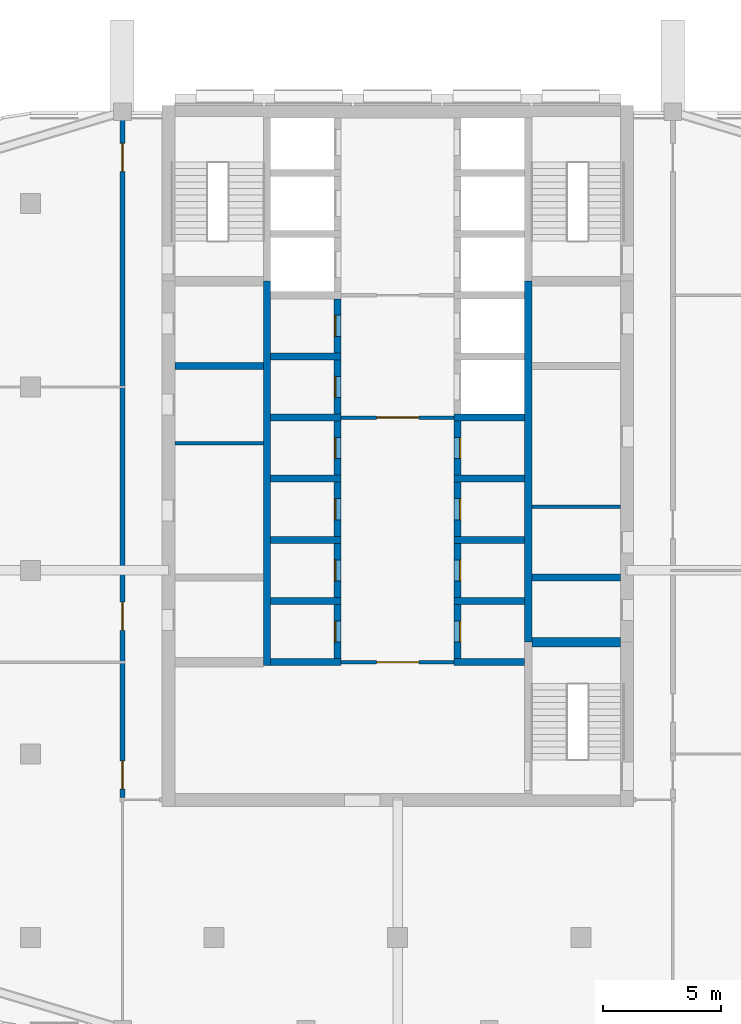
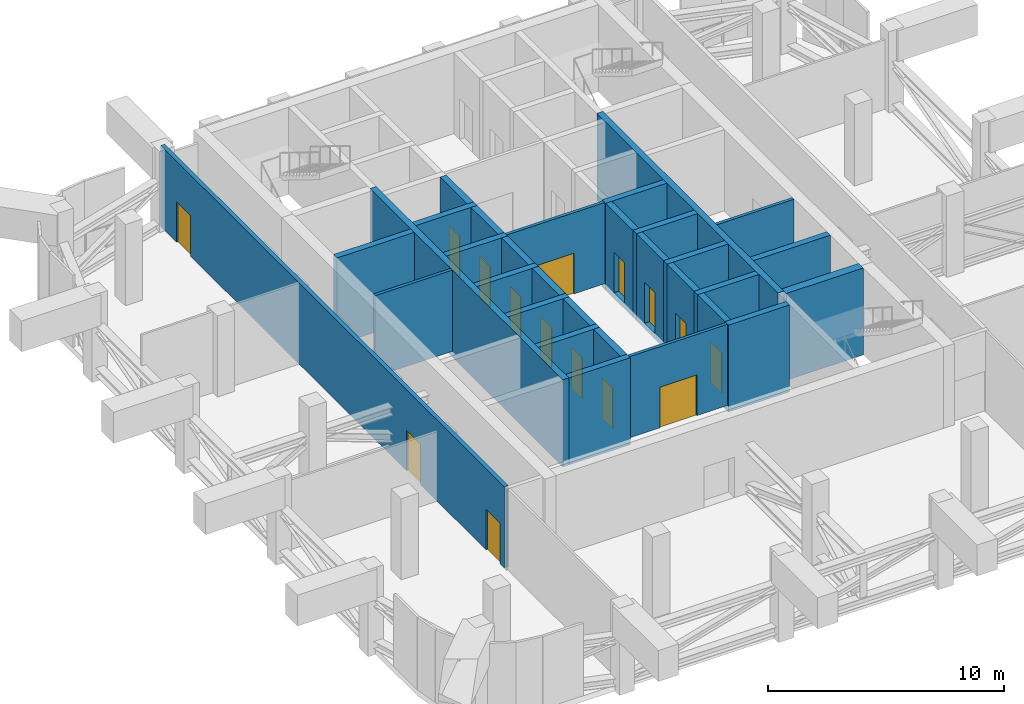
# One storey, part 6 of 13: 31 walls, 15 doors, 15 openings.
"""IFC4 building model written with IfcOpenShell, lengths in metres."""

from ifc_helpers import new_model, si_unit, direction, frame, frame_2d, origin, place, context, subcontext, project, spatial, rectangle, extrude, material, layer, layer_set, type_object, element, fill, save


model = new_model("IFC4")

# Units and contexts
model_context = context("Model", 3, precision=1e-05, world=origin(), true_north=direction((0.0, 1.0)))
body_context = subcontext(model_context, "Body", "Model", "MODEL_VIEW")
ifc_project = project(units=[si_unit("LENGTHUNIT", "METRE"), si_unit("AREAUNIT", "SQUARE_METRE"), si_unit("VOLUMEUNIT", "CUBIC_METRE"), si_unit("PLANEANGLEUNIT", "RADIAN"), si_unit("MASSUNIT", "GRAM", prefix="KILO")], contexts=[model_context])

# Site, building, storey
site_placement = place(None, origin())
site = spatial("IfcSite", under=ifc_project, at=site_placement, CompositionType="ELEMENT")
building_placement = place(site_placement, origin())
building = spatial("IfcBuilding", under=site, at=building_placement, Name="Ludao Terraces", CompositionType="ELEMENT")
storey_placement = place(building_placement, frame((0.0, 0.0, 192.800048828125)))
storey = spatial("IfcBuildingStorey", under=building, at=storey_placement, Name="L52", CompositionType="ELEMENT", Elevation=192.800048828125)

# Wall, opening, door
ifc_material_1 = material(Name="Fire-rated gypsum plasterboard", Category="gypsum")
ifc_layer_1 = layer(ifc_material_1, 0.012451171875, Category="gypsum")
ifc_material_2 = material(Name="Mineral wool")
ifc_layer_2 = layer(ifc_material_2, 0.10009765625, Name="insulation")
ifc_material_3 = material(Name="Steel Q235", Category="steel")
ifc_layer_3 = layer(ifc_material_3, 0.02490234375, Name="stud")
ifc_layer_4 = layer(ifc_material_1, 0.012451171875, Category="gypsum")
ifc_layer_set_1 = layer_set([ifc_layer_1, ifc_layer_2, ifc_layer_3, ifc_layer_4], Name="INT Core partition 150")
wall_type_1 = type_object("IfcWallType", Name="INT Core partition 150", PredefinedType="PARTITIONING", material=ifc_layer_set_1)
wall_1_placement = place(storey_placement, frame((82.60009765625, 61.10009765625, 0.0), z_axis=(0.0, 0.0, 1.0), x_axis=(1.0, 0.0, 0.0)))
wall_1 = element("IfcWall", 1, at=wall_1_placement, inside=storey, type_object=wall_type_1, Name="PW-L52-PW004", PredefinedType="PARTITIONING", context=body_context, shape_type="SweptSolid", body=[
    extrude(rectangle(XDim=4.800048828125, YDim=0.14990234375, at=frame_2d((2.39990234375, 0.0))), origin(), (0.0, 0.0, 1.0), 4.199951171875),
])
opening_1_placement = place(wall_1_placement, frame((1.5, 0.0, 0.0)))
opening_1 = element("IfcOpeningElement", 2, at=opening_1_placement, cuts=wall_1, Name="Opening L52-009", PredefinedType="OPENING", context=body_context, shape_type="SweptSolid", body=[
    extrude(rectangle(XDim=1.800048828125, YDim=2.10009765625, at=frame_2d((0.89990234375, 1.050048828125))), frame((0.0, 0.0849609375, 0.0), z_axis=(0.0, -1.0, 0.0), x_axis=(1.0, 0.0, 0.0)), (0.0, 0.0, 1.0), 0.169921875),
])
door_type_1 = type_object("IfcDoorType", Name="INT Fire lobby door 1800", OperationType="DOUBLE_DOOR_SINGLE_SWING", PredefinedType="DOOR", material=ifc_material_3)
door_1_placement = place(opening_1_placement, origin())
door_1 = element("IfcDoor", 3, at=door_1_placement, inside=storey, type_object=door_type_1, Name="DOOR 009", OperationType="DOUBLE_DOOR_SINGLE_SWING", OverallHeight=2.10009765625, OverallWidth=1.800048828125, PredefinedType="DOOR", context=body_context, shape_type="SweptSolid", body=[
    extrude(rectangle(XDim=1.800048828125, YDim=2.10009765625, at=frame_2d((0.89990234375, 1.050048828125))), frame((0.0, 0.02490234375, 0.0), z_axis=(0.0, -1.0, 0.0), x_axis=(1.0, 0.0, 0.0)), (0.0, 0.0, 1.0), 0.050048828125),
])
fill(opening_1, door_1)

# Walls
for number, where, z_axis, x_axis, name in (
    (4, (90.7001953125, 67.699951171875, 0.0), (0.0, 0.0, 1.0), (1.0, 0.0, 0.0), "PW-L52-PW006"),
    (5, (75.525146484375, 70.39990234375, 0.0), (0.0, 0.0, 1.0), (1.0, 0.0, 0.0), "PW-L52-PW007"),
):
    element("IfcWall", number, at=place(storey_placement, frame(where, z_axis=z_axis, x_axis=x_axis)), inside=storey, type_object=wall_type_1, Name=name, PredefinedType="PARTITIONING", context=body_context, shape_type="SweptSolid", body=[
        extrude(rectangle(XDim=3.77490234375, YDim=0.14990234375, at=frame_2d((1.887451171875, 0.0))), origin(), (0.0, 0.0, 1.0), 4.199951171875),
    ])

# Wall, opening, door
wall_2_placement = place(storey_placement, frame((82.60009765625, 71.5, 0.0), z_axis=(0.0, 0.0, 1.0), x_axis=(1.0, 0.0, 0.0)))
wall_2 = element("IfcWall", 6, at=wall_2_placement, inside=storey, type_object=wall_type_1, Name="PW-L52-PW008", PredefinedType="PARTITIONING", context=body_context, shape_type="SweptSolid", body=[
    extrude(rectangle(XDim=4.800048828125, YDim=0.14990234375, at=frame_2d((2.39990234375, 0.0))), origin(), (0.0, 0.0, 1.0), 4.199951171875),
])
opening_2_placement = place(wall_2_placement, frame((1.5, 0.0, 0.0)))
opening_2 = element("IfcOpeningElement", 7, at=opening_2_placement, cuts=wall_2, Name="Opening L52-025", PredefinedType="OPENING", context=body_context, shape_type="SweptSolid", body=[
    extrude(rectangle(XDim=1.800048828125, YDim=2.10009765625, at=frame_2d((0.89990234375, 1.050048828125))), frame((0.0, 0.0849609375, 0.0), z_axis=(0.0, -1.0, 0.0), x_axis=(1.0, 0.0, 0.0)), (0.0, 0.0, 1.0), 0.169921875),
])
door_2_placement = place(opening_2_placement, origin())
door_2 = element("IfcDoor", 8, at=door_2_placement, inside=storey, type_object=door_type_1, Name="DOOR 025", OperationType="DOUBLE_DOOR_SINGLE_SWING", OverallHeight=2.10009765625, OverallWidth=1.800048828125, PredefinedType="DOOR", context=body_context, shape_type="SweptSolid", body=[
    extrude(rectangle(XDim=1.800048828125, YDim=2.10009765625, at=frame_2d((0.89990234375, 1.050048828125))), frame((0.0, 0.02490234375, 0.0), z_axis=(0.0, -1.0, 0.0), x_axis=(1.0, 0.0, 0.0)), (0.0, 0.0, 1.0), 0.050048828125),
])
fill(opening_2, door_2)

# Wall, openings, doors
ifc_material_4 = material(Name="Autoclaved aerated concrete block B06 A3.5", Category="concrete")
ifc_layer_5 = layer(ifc_material_4, 0.199951171875)
ifc_layer_set_2 = layer_set([ifc_layer_5], Name="INT Entrance wall 200")
wall_type_2 = type_object("IfcWallType", Name="INT Entrance wall 200", PredefinedType="PARTITIONING", material=ifc_layer_set_2)
wall_3_placement = place(storey_placement, frame((73.300048828125, 55.35009765625, 0.0), z_axis=(0.0, 0.0, 1.0), x_axis=(0.0, 1.0, 0.0)))
wall_3 = element("IfcWall", 9, at=wall_3_placement, inside=storey, type_object=wall_type_2, Name="PW-L52-PW013", PredefinedType="PARTITIONING", context=body_context, shape_type="SweptSolid", body=[
    extrude(rectangle(XDim=29.14990234375, YDim=0.199951171875, at=frame_2d((14.574951171875, 0.0))), origin(), (0.0, 0.0, 1.0), 4.199951171875),
])
opening_3_placement = place(wall_3_placement, frame((0.35009765625, 0.0, 0.0)))
opening_3 = element("IfcOpeningElement", 10, at=opening_3_placement, cuts=wall_3, Name="Opening L52-006", PredefinedType="OPENING", context=body_context, shape_type="SweptSolid", body=[
    extrude(rectangle(XDim=1.199951171875, YDim=2.10009765625, at=frame_2d((0.60009765625, 1.050048828125))), frame((0.0, 0.10986328125, 0.0), z_axis=(0.0, -1.0, 0.0), x_axis=(1.0, 0.0, 0.0)), (0.0, 0.0, 1.0), 0.219970703125),
])
opening_4_placement = place(wall_3_placement, frame((7.10009765625, 0.0, 0.0)))
opening_4 = element("IfcOpeningElement", 11, at=opening_4_placement, cuts=wall_3, Name="Opening L52-013", PredefinedType="OPENING", context=body_context, shape_type="SweptSolid", body=[
    extrude(rectangle(XDim=1.199951171875, YDim=2.10009765625, at=frame_2d((0.60009765625, 1.050048828125))), frame((0.0, 0.10986328125, 0.0), z_axis=(0.0, -1.0, 0.0), x_axis=(1.0, 0.0, 0.0)), (0.0, 0.0, 1.0), 0.219970703125),
])
opening_5_placement = place(wall_3_placement, frame((26.60009765625, 0.0, 0.0)))
opening_5 = element("IfcOpeningElement", 12, at=opening_5_placement, cuts=wall_3, Name="Opening L52-040", PredefinedType="OPENING", context=body_context, shape_type="SweptSolid", body=[
    extrude(rectangle(XDim=1.199951171875, YDim=2.10009765625, at=frame_2d((0.60009765625, 1.050048828125))), frame((0.0, 0.10986328125, 0.0), z_axis=(0.0, -1.0, 0.0), x_axis=(1.0, 0.0, 0.0)), (0.0, 0.0, 1.0), 0.219970703125),
])
ifc_material_5 = material(Name="Timber door leaf", Category="wood")
door_type_2 = type_object("IfcDoorType", Name="INT Double door 1200", OperationType="DOUBLE_DOOR_SINGLE_SWING", PredefinedType="DOOR", material=ifc_material_5)
door_3_placement = place(opening_3_placement, origin())
door_3 = element("IfcDoor", 13, at=door_3_placement, inside=storey, type_object=door_type_2, Name="DOOR 006", OperationType="DOUBLE_DOOR_SINGLE_SWING", OverallHeight=2.10009765625, OverallWidth=1.199951171875, PredefinedType="DOOR", context=body_context, shape_type="SweptSolid", body=[
    extrude(rectangle(XDim=1.199951171875, YDim=2.10009765625, at=frame_2d((0.60009765625, 1.050048828125))), frame((0.0, 0.02490234375, 0.0), z_axis=(0.0, -1.0, 0.0), x_axis=(1.0, 0.0, 0.0)), (0.0, 0.0, 1.0), 0.050048828125),
])
fill(opening_3, door_3)
door_4_placement = place(opening_4_placement, origin())
door_4 = element("IfcDoor", 14, at=door_4_placement, inside=storey, type_object=door_type_2, Name="DOOR 013", OperationType="DOUBLE_DOOR_SINGLE_SWING", OverallHeight=2.10009765625, OverallWidth=1.199951171875, PredefinedType="DOOR", context=body_context, shape_type="SweptSolid", body=[
    extrude(rectangle(XDim=1.199951171875, YDim=2.10009765625, at=frame_2d((0.60009765625, 1.050048828125))), frame((0.0, 0.02490234375, 0.0), z_axis=(0.0, -1.0, 0.0), x_axis=(1.0, 0.0, 0.0)), (0.0, 0.0, 1.0), 0.050048828125),
])
fill(opening_4, door_4)
door_5_placement = place(opening_5_placement, origin())
door_5 = element("IfcDoor", 15, at=door_5_placement, inside=storey, type_object=door_type_2, Name="DOOR 040", OperationType="DOUBLE_DOOR_SINGLE_SWING", OverallHeight=2.10009765625, OverallWidth=1.199951171875, PredefinedType="DOOR", context=body_context, shape_type="SweptSolid", body=[
    extrude(rectangle(XDim=1.199951171875, YDim=2.10009765625, at=frame_2d((0.60009765625, 1.050048828125))), frame((0.0, 0.02490234375, 0.0), z_axis=(0.0, -1.0, 0.0), x_axis=(1.0, 0.0, 0.0)), (0.0, 0.0, 1.0), 0.050048828125),
])
fill(opening_5, door_5)

# Walls
ifc_material_6 = material(Name="Concrete C55", Category="concrete")
ifc_layer_6 = layer(ifc_material_6, 0.300048828125)
ifc_layer_set_3 = layer_set([ifc_layer_6], Name="Shaft wall 300 C55")
wall_type_3 = type_object("IfcWallType", Name="Shaft wall 300 C55", PredefinedType="SOLIDWALL", material=ifc_layer_set_3)
wall_4_placement = place(storey_placement, frame((79.449951171875, 60.949951171875, -0.300048828125), z_axis=(0.0, 0.0, 1.0), x_axis=(0.0, 1.0, 0.0)))
element("IfcWall", 16, at=wall_4_placement, inside=storey, type_object=wall_type_3, Name="Core wall L52 back-W", PredefinedType="SOLIDWALL", context=body_context, shape_type="SweptSolid", body=[
    extrude(rectangle(XDim=16.35009765625, YDim=0.300048828125, at=frame_2d((8.175048828125, 0.0))), origin(), (0.0, 0.0, 1.0), 4.5),
])
wall_5_placement = place(storey_placement, frame((90.550048828125, 61.949951171875, -0.300048828125), z_axis=(0.0, 0.0, 1.0), x_axis=(0.0, 1.0, 0.0)))
element("IfcWall", 17, at=wall_5_placement, inside=storey, type_object=wall_type_3, Name="Core wall L52 back-E", PredefinedType="SOLIDWALL", context=body_context, shape_type="SweptSolid", body=[
    extrude(rectangle(XDim=15.35009765625, YDim=0.300048828125, at=frame_2d((7.675048828125, 0.0))), origin(), (0.0, 0.0, 1.0), 4.5),
])
wall_6_placement = place(storey_placement, frame((79.60009765625, 61.10009765625, -0.300048828125), z_axis=(0.0, 0.0, 1.0), x_axis=(1.0, 0.0, 0.0)))
element("IfcWall", 18, at=wall_6_placement, inside=storey, type_object=wall_type_3, Name="Core wall L52 div-W1", PredefinedType="SOLIDWALL", context=body_context, shape_type="SweptSolid", body=[
    extrude(rectangle(XDim=3.0, YDim=0.300048828125, at=frame_2d((1.5, 0.0))), origin(), (0.0, 0.0, 1.0), 4.5),
])

# Wall, opening, door
wall_7_placement = place(storey_placement, frame((82.449951171875, 61.25, -0.300048828125), z_axis=(0.0, 0.0, 1.0), x_axis=(0.0, 1.0, 0.0)))
wall_7 = element("IfcWall", 19, at=wall_7_placement, inside=storey, type_object=wall_type_3, Name="Core wall L52 front-W1", PredefinedType="SOLIDWALL", context=body_context, shape_type="SweptSolid", body=[
    extrude(rectangle(XDim=2.300048828125, YDim=0.300048828125, at=frame_2d((1.14990234375, 0.0))), origin(), (0.0, 0.0, 1.0), 4.5),
])
opening_6_placement = place(wall_7_placement, frame((0.699951171875, 0.0, 0.300048828125)))
opening_6 = element("IfcOpeningElement", 20, at=opening_6_placement, cuts=wall_7, Name="Opening L52-010", PredefinedType="OPENING", context=body_context, shape_type="SweptSolid", body=[
    extrude(rectangle(XDim=0.89990234375, YDim=2.10009765625, at=frame_2d((0.449951171875, 1.050048828125))), frame((0.0, 0.16015625, 0.0), z_axis=(0.0, -1.0, 0.0), x_axis=(1.0, 0.0, 0.0)), (0.0, 0.0, 1.0), 0.320068359375),
])
door_type_3 = type_object("IfcDoorType", Name="INT Room door 900", OperationType="SINGLE_SWING_LEFT", PredefinedType="DOOR", material=ifc_material_5)
door_6_placement = place(opening_6_placement, origin())
door_6 = element("IfcDoor", 21, at=door_6_placement, inside=storey, type_object=door_type_3, Name="DOOR 010", OperationType="SINGLE_SWING_LEFT", OverallHeight=2.10009765625, OverallWidth=0.89990234375, PredefinedType="DOOR", context=body_context, shape_type="SweptSolid", body=[
    extrude(rectangle(XDim=0.89990234375, YDim=2.10009765625, at=frame_2d((0.449951171875, 1.050048828125))), frame((0.0, 0.13525390625, 0.0), z_axis=(0.0, -1.0, 0.0), x_axis=(1.0, 0.0, 0.0)), (0.0, 0.0, 1.0), 0.050048828125),
])
fill(opening_6, door_6)

# Wall
wall_8_placement = place(storey_placement, frame((79.60009765625, 63.699951171875, -0.300048828125), z_axis=(0.0, 0.0, 1.0), x_axis=(1.0, 0.0, 0.0)))
element("IfcWall", 22, at=wall_8_placement, inside=storey, type_object=wall_type_3, Name="Core wall L52 div-W2", PredefinedType="SOLIDWALL", context=body_context, shape_type="SweptSolid", body=[
    extrude(rectangle(XDim=3.0, YDim=0.300048828125, at=frame_2d((1.5, 0.0))), origin(), (0.0, 0.0, 1.0), 4.5),
])

# Wall, opening, door
wall_9_placement = place(storey_placement, frame((82.449951171875, 63.85009765625, -0.300048828125), z_axis=(0.0, 0.0, 1.0), x_axis=(0.0, 1.0, 0.0)))
wall_9 = element("IfcWall", 23, at=wall_9_placement, inside=storey, type_object=wall_type_3, Name="Core wall L52 front-W2", PredefinedType="SOLIDWALL", context=body_context, shape_type="SweptSolid", body=[
    extrude(rectangle(XDim=2.2998046875, YDim=0.300048828125, at=frame_2d((1.14990234375, 0.0))), origin(), (0.0, 0.0, 1.0), 4.5),
])
opening_7_placement = place(wall_9_placement, frame((0.699951171875, 0.0, 0.300048828125)))
opening_7 = element("IfcOpeningElement", 24, at=opening_7_placement, cuts=wall_9, Name="Opening L52-015", PredefinedType="OPENING", context=body_context, shape_type="SweptSolid", body=[
    extrude(rectangle(XDim=0.89990234375, YDim=2.10009765625, at=frame_2d((0.449951171875, 1.050048828125))), frame((0.0, 0.16015625, 0.0), z_axis=(0.0, -1.0, 0.0), x_axis=(1.0, 0.0, 0.0)), (0.0, 0.0, 1.0), 0.320068359375),
])
door_7_placement = place(opening_7_placement, origin())
door_7 = element("IfcDoor", 25, at=door_7_placement, inside=storey, type_object=door_type_3, Name="DOOR 015", OperationType="SINGLE_SWING_LEFT", OverallHeight=2.10009765625, OverallWidth=0.89990234375, PredefinedType="DOOR", context=body_context, shape_type="SweptSolid", body=[
    extrude(rectangle(XDim=0.89990234375, YDim=2.10009765625, at=frame_2d((0.449951171875, 1.050048828125))), frame((0.0, 0.13525390625, 0.0), z_axis=(0.0, -1.0, 0.0), x_axis=(1.0, 0.0, 0.0)), (0.0, 0.0, 1.0), 0.050048828125),
])
fill(opening_7, door_7)

# Wall
wall_10_placement = place(storey_placement, frame((79.60009765625, 66.300048828125, -0.300048828125), z_axis=(0.0, 0.0, 1.0), x_axis=(1.0, 0.0, 0.0)))
element("IfcWall", 26, at=wall_10_placement, inside=storey, type_object=wall_type_3, Name="Core wall L52 div-W3", PredefinedType="SOLIDWALL", context=body_context, shape_type="SweptSolid", body=[
    extrude(rectangle(XDim=3.0, YDim=0.300048828125, at=frame_2d((1.5, 0.0))), origin(), (0.0, 0.0, 1.0), 4.5),
])

# Wall, opening, door
wall_11_placement = place(storey_placement, frame((82.449951171875, 66.449951171875, -0.300048828125), z_axis=(0.0, 0.0, 1.0), x_axis=(0.0, 1.0, 0.0)))
wall_11 = element("IfcWall", 27, at=wall_11_placement, inside=storey, type_object=wall_type_3, Name="Core wall L52 front-W3", PredefinedType="SOLIDWALL", context=body_context, shape_type="SweptSolid", body=[
    extrude(rectangle(XDim=2.300048828125, YDim=0.300048828125, at=frame_2d((1.14990234375, 0.0))), origin(), (0.0, 0.0, 1.0), 4.5),
])
opening_8_placement = place(wall_11_placement, frame((0.699951171875, 0.0, 0.300048828125)))
opening_8 = element("IfcOpeningElement", 28, at=opening_8_placement, cuts=wall_11, Name="Opening L52-020", PredefinedType="OPENING", context=body_context, shape_type="SweptSolid", body=[
    extrude(rectangle(XDim=0.89990234375, YDim=2.10009765625, at=frame_2d((0.449951171875, 1.050048828125))), frame((0.0, 0.16015625, 0.0), z_axis=(0.0, -1.0, 0.0), x_axis=(1.0, 0.0, 0.0)), (0.0, 0.0, 1.0), 0.320068359375),
])
door_8_placement = place(opening_8_placement, origin())
door_8 = element("IfcDoor", 29, at=door_8_placement, inside=storey, type_object=door_type_3, Name="DOOR 020", OperationType="SINGLE_SWING_LEFT", OverallHeight=2.10009765625, OverallWidth=0.89990234375, PredefinedType="DOOR", context=body_context, shape_type="SweptSolid", body=[
    extrude(rectangle(XDim=0.89990234375, YDim=2.10009765625, at=frame_2d((0.449951171875, 1.050048828125))), frame((0.0, 0.13525390625, 0.0), z_axis=(0.0, -1.0, 0.0), x_axis=(1.0, 0.0, 0.0)), (0.0, 0.0, 1.0), 0.050048828125),
])
fill(opening_8, door_8)

# Wall
wall_12_placement = place(storey_placement, frame((79.60009765625, 68.89990234375, -0.300048828125), z_axis=(0.0, 0.0, 1.0), x_axis=(1.0, 0.0, 0.0)))
element("IfcWall", 30, at=wall_12_placement, inside=storey, type_object=wall_type_3, Name="Core wall L52 div-W4", PredefinedType="SOLIDWALL", context=body_context, shape_type="SweptSolid", body=[
    extrude(rectangle(XDim=3.0, YDim=0.300048828125, at=frame_2d((1.5, 0.0))), origin(), (0.0, 0.0, 1.0), 4.5),
])

# Wall, opening, door
wall_13_placement = place(storey_placement, frame((82.449951171875, 69.050048828125, -0.300048828125), z_axis=(0.0, 0.0, 1.0), x_axis=(0.0, 1.0, 0.0)))
wall_13 = element("IfcWall", 31, at=wall_13_placement, inside=storey, type_object=wall_type_3, Name="Core wall L52 front-W4", PredefinedType="SOLIDWALL", context=body_context, shape_type="SweptSolid", body=[
    extrude(rectangle(XDim=2.300048828125, YDim=0.300048828125, at=frame_2d((1.14990234375, 0.0))), origin(), (0.0, 0.0, 1.0), 4.5),
])
opening_9_placement = place(wall_13_placement, frame((0.699951171875, 0.0, 0.300048828125)))
opening_9 = element("IfcOpeningElement", 32, at=opening_9_placement, cuts=wall_13, Name="Opening L52-022", PredefinedType="OPENING", context=body_context, shape_type="SweptSolid", body=[
    extrude(rectangle(XDim=0.89990234375, YDim=2.10009765625, at=frame_2d((0.449951171875, 1.050048828125))), frame((0.0, 0.16015625, 0.0), z_axis=(0.0, -1.0, 0.0), x_axis=(1.0, 0.0, 0.0)), (0.0, 0.0, 1.0), 0.320068359375),
])
door_9_placement = place(opening_9_placement, origin())
door_9 = element("IfcDoor", 33, at=door_9_placement, inside=storey, type_object=door_type_3, Name="DOOR 022", OperationType="SINGLE_SWING_RIGHT", OverallHeight=2.10009765625, OverallWidth=0.89990234375, PredefinedType="DOOR", context=body_context, shape_type="SweptSolid", body=[
    extrude(rectangle(XDim=0.89990234375, YDim=2.10009765625, at=frame_2d((0.449951171875, 1.050048828125))), frame((0.0, 0.13525390625, 0.0), z_axis=(0.0, -1.0, 0.0), x_axis=(1.0, 0.0, 0.0)), (0.0, 0.0, 1.0), 0.050048828125),
])
fill(opening_9, door_9)

# Wall
wall_14_placement = place(storey_placement, frame((79.60009765625, 71.5, -0.300048828125), z_axis=(0.0, 0.0, 1.0), x_axis=(1.0, 0.0, 0.0)))
element("IfcWall", 34, at=wall_14_placement, inside=storey, type_object=wall_type_3, Name="Core wall L52 div-W5", PredefinedType="SOLIDWALL", context=body_context, shape_type="SweptSolid", body=[
    extrude(rectangle(XDim=3.0, YDim=0.300048828125, at=frame_2d((1.5, 0.0))), origin(), (0.0, 0.0, 1.0), 4.5),
])

# Wall, opening, door
wall_15_placement = place(storey_placement, frame((82.449951171875, 71.64990234375, -0.300048828125), z_axis=(0.0, 0.0, 1.0), x_axis=(0.0, 1.0, 0.0)))
wall_15 = element("IfcWall", 35, at=wall_15_placement, inside=storey, type_object=wall_type_3, Name="Core wall L52 front-W5", PredefinedType="SOLIDWALL", context=body_context, shape_type="SweptSolid", body=[
    extrude(rectangle(XDim=2.300048828125, YDim=0.300048828125, at=frame_2d((1.14990234375, 0.0))), origin(), (0.0, 0.0, 1.0), 4.5),
])
opening_10_placement = place(wall_15_placement, frame((0.699951171875, 0.0, 0.300048828125)))
opening_10 = element("IfcOpeningElement", 36, at=opening_10_placement, cuts=wall_15, Name="Opening L52-027", PredefinedType="OPENING", context=body_context, shape_type="SweptSolid", body=[
    extrude(rectangle(XDim=0.89990234375, YDim=2.10009765625, at=frame_2d((0.449951171875, 1.050048828125))), frame((0.0, 0.16015625, 0.0), z_axis=(0.0, -1.0, 0.0), x_axis=(1.0, 0.0, 0.0)), (0.0, 0.0, 1.0), 0.320068359375),
])
door_10_placement = place(opening_10_placement, origin())
door_10 = element("IfcDoor", 37, at=door_10_placement, inside=storey, type_object=door_type_3, Name="DOOR 027", OperationType="SINGLE_SWING_LEFT", OverallHeight=2.10009765625, OverallWidth=0.89990234375, PredefinedType="DOOR", context=body_context, shape_type="SweptSolid", body=[
    extrude(rectangle(XDim=0.89990234375, YDim=2.10009765625, at=frame_2d((0.449951171875, 1.050048828125))), frame((0.0, 0.13525390625, 0.0), z_axis=(0.0, -1.0, 0.0), x_axis=(1.0, 0.0, 0.0)), (0.0, 0.0, 1.0), 0.050048828125),
])
fill(opening_10, door_10)

# Wall
wall_16_placement = place(storey_placement, frame((79.60009765625, 74.10009765625, -0.300048828125), z_axis=(0.0, 0.0, 1.0), x_axis=(1.0, 0.0, 0.0)))
element("IfcWall", 38, at=wall_16_placement, inside=storey, type_object=wall_type_3, Name="Core wall L52 div-W6", PredefinedType="SOLIDWALL", context=body_context, shape_type="SweptSolid", body=[
    extrude(rectangle(XDim=3.0, YDim=0.300048828125, at=frame_2d((1.5, 0.0))), origin(), (0.0, 0.0, 1.0), 4.5),
])

# Wall, opening, door
wall_17_placement = place(storey_placement, frame((82.449951171875, 74.25, -0.300048828125), z_axis=(0.0, 0.0, 1.0), x_axis=(0.0, 1.0, 0.0)))
wall_17 = element("IfcWall", 39, at=wall_17_placement, inside=storey, type_object=wall_type_3, Name="Core wall L52 front-W6", PredefinedType="SOLIDWALL", context=body_context, shape_type="SweptSolid", body=[
    extrude(rectangle(XDim=2.300048828125, YDim=0.300048828125, at=frame_2d((1.14990234375, 0.0))), origin(), (0.0, 0.0, 1.0), 4.5),
])
opening_11_placement = place(wall_17_placement, frame((0.699951171875, 0.0, 0.300048828125)))
opening_11 = element("IfcOpeningElement", 40, at=opening_11_placement, cuts=wall_17, Name="Opening L52-029", PredefinedType="OPENING", context=body_context, shape_type="SweptSolid", body=[
    extrude(rectangle(XDim=0.89990234375, YDim=2.10009765625, at=frame_2d((0.449951171875, 1.050048828125))), frame((0.0, 0.16015625, 0.0), z_axis=(0.0, -1.0, 0.0), x_axis=(1.0, 0.0, 0.0)), (0.0, 0.0, 1.0), 0.320068359375),
])
door_11_placement = place(opening_11_placement, origin())
door_11 = element("IfcDoor", 41, at=door_11_placement, inside=storey, type_object=door_type_3, Name="DOOR 029", OperationType="SINGLE_SWING_LEFT", OverallHeight=2.10009765625, OverallWidth=0.89990234375, PredefinedType="DOOR", context=body_context, shape_type="SweptSolid", body=[
    extrude(rectangle(XDim=0.89990234375, YDim=2.10009765625, at=frame_2d((0.449951171875, 1.050048828125))), frame((0.0, 0.13525390625, 0.0), z_axis=(0.0, -1.0, 0.0), x_axis=(1.0, 0.0, 0.0)), (0.0, 0.0, 1.0), 0.050048828125),
])
fill(opening_11, door_11)

# Wall
wall_18_placement = place(storey_placement, frame((87.39990234375, 61.10009765625, -0.300048828125), z_axis=(0.0, 0.0, 1.0), x_axis=(1.0, 0.0, 0.0)))
element("IfcWall", 42, at=wall_18_placement, inside=storey, type_object=wall_type_3, Name="Core wall L52 div-E1", PredefinedType="SOLIDWALL", context=body_context, shape_type="SweptSolid", body=[
    extrude(rectangle(XDim=3.0, YDim=0.300048828125, at=frame_2d((1.5, 0.0))), origin(), (0.0, 0.0, 1.0), 4.5),
])

# Wall, opening, door
wall_19_placement = place(storey_placement, frame((87.550048828125, 61.25, -0.300048828125), z_axis=(0.0, 0.0, 1.0), x_axis=(0.0, 1.0, 0.0)))
wall_19 = element("IfcWall", 43, at=wall_19_placement, inside=storey, type_object=wall_type_3, Name="Core wall L52 front-E1", PredefinedType="SOLIDWALL", context=body_context, shape_type="SweptSolid", body=[
    extrude(rectangle(XDim=2.300048828125, YDim=0.300048828125, at=frame_2d((1.14990234375, 0.0))), origin(), (0.0, 0.0, 1.0), 4.5),
])
opening_12_placement = place(wall_19_placement, frame((0.699951171875, 0.0, 0.300048828125)))
opening_12 = element("IfcOpeningElement", 44, at=opening_12_placement, cuts=wall_19, Name="Opening L52-011", PredefinedType="OPENING", context=body_context, shape_type="SweptSolid", body=[
    extrude(rectangle(XDim=0.89990234375, YDim=2.10009765625, at=frame_2d((0.449951171875, 1.050048828125))), frame((0.0, 0.16015625, 0.0), z_axis=(0.0, -1.0, 0.0), x_axis=(1.0, 0.0, 0.0)), (0.0, 0.0, 1.0), 0.320068359375),
])
door_12_placement = place(opening_12_placement, origin())
door_12 = element("IfcDoor", 45, at=door_12_placement, inside=storey, type_object=door_type_3, Name="DOOR 011", OperationType="SINGLE_SWING_RIGHT", OverallHeight=2.10009765625, OverallWidth=0.89990234375, PredefinedType="DOOR", context=body_context, shape_type="SweptSolid", body=[
    extrude(rectangle(XDim=0.89990234375, YDim=2.10009765625, at=frame_2d((0.449951171875, 1.050048828125))), frame((0.0, -0.0849609375, 0.0), z_axis=(0.0, -1.0, 0.0), x_axis=(1.0, 0.0, 0.0)), (0.0, 0.0, 1.0), 0.050048828125),
])
fill(opening_12, door_12)

# Wall
wall_20_placement = place(storey_placement, frame((87.39990234375, 63.699951171875, -0.300048828125), z_axis=(0.0, 0.0, 1.0), x_axis=(1.0, 0.0, 0.0)))
element("IfcWall", 46, at=wall_20_placement, inside=storey, type_object=wall_type_3, Name="Core wall L52 div-E2", PredefinedType="SOLIDWALL", context=body_context, shape_type="SweptSolid", body=[
    extrude(rectangle(XDim=3.0, YDim=0.300048828125, at=frame_2d((1.5, 0.0))), origin(), (0.0, 0.0, 1.0), 4.5),
])

# Wall, opening, door
wall_21_placement = place(storey_placement, frame((87.550048828125, 63.85009765625, -0.300048828125), z_axis=(0.0, 0.0, 1.0), x_axis=(0.0, 1.0, 0.0)))
wall_21 = element("IfcWall", 47, at=wall_21_placement, inside=storey, type_object=wall_type_3, Name="Core wall L52 front-E2", PredefinedType="SOLIDWALL", context=body_context, shape_type="SweptSolid", body=[
    extrude(rectangle(XDim=2.2998046875, YDim=0.300048828125, at=frame_2d((1.14990234375, 0.0))), origin(), (0.0, 0.0, 1.0), 4.5),
])
opening_13_placement = place(wall_21_placement, frame((0.699951171875, 0.0, 0.300048828125)))
opening_13 = element("IfcOpeningElement", 48, at=opening_13_placement, cuts=wall_21, Name="Opening L52-016", PredefinedType="OPENING", context=body_context, shape_type="SweptSolid", body=[
    extrude(rectangle(XDim=0.89990234375, YDim=2.10009765625, at=frame_2d((0.449951171875, 1.050048828125))), frame((0.0, 0.16015625, 0.0), z_axis=(0.0, -1.0, 0.0), x_axis=(1.0, 0.0, 0.0)), (0.0, 0.0, 1.0), 0.320068359375),
])
door_13_placement = place(opening_13_placement, origin())
door_13 = element("IfcDoor", 49, at=door_13_placement, inside=storey, type_object=door_type_3, Name="DOOR 016", OperationType="SINGLE_SWING_RIGHT", OverallHeight=2.10009765625, OverallWidth=0.89990234375, PredefinedType="DOOR", context=body_context, shape_type="SweptSolid", body=[
    extrude(rectangle(XDim=0.89990234375, YDim=2.10009765625, at=frame_2d((0.449951171875, 1.050048828125))), frame((0.0, -0.0849609375, 0.0), z_axis=(0.0, -1.0, 0.0), x_axis=(1.0, 0.0, 0.0)), (0.0, 0.0, 1.0), 0.050048828125),
])
fill(opening_13, door_13)

# Wall
wall_22_placement = place(storey_placement, frame((87.39990234375, 66.300048828125, -0.300048828125), z_axis=(0.0, 0.0, 1.0), x_axis=(1.0, 0.0, 0.0)))
element("IfcWall", 50, at=wall_22_placement, inside=storey, type_object=wall_type_3, Name="Core wall L52 div-E3", PredefinedType="SOLIDWALL", context=body_context, shape_type="SweptSolid", body=[
    extrude(rectangle(XDim=3.0, YDim=0.300048828125, at=frame_2d((1.5, 0.0))), origin(), (0.0, 0.0, 1.0), 4.5),
])

# Wall, opening, door
wall_23_placement = place(storey_placement, frame((87.550048828125, 66.449951171875, -0.300048828125), z_axis=(0.0, 0.0, 1.0), x_axis=(0.0, 1.0, 0.0)))
wall_23 = element("IfcWall", 51, at=wall_23_placement, inside=storey, type_object=wall_type_3, Name="Core wall L52 front-E3", PredefinedType="SOLIDWALL", context=body_context, shape_type="SweptSolid", body=[
    extrude(rectangle(XDim=2.300048828125, YDim=0.300048828125, at=frame_2d((1.14990234375, 0.0))), origin(), (0.0, 0.0, 1.0), 4.5),
])
opening_14_placement = place(wall_23_placement, frame((0.699951171875, 0.0, 0.300048828125)))
opening_14 = element("IfcOpeningElement", 52, at=opening_14_placement, cuts=wall_23, Name="Opening L52-021", PredefinedType="OPENING", context=body_context, shape_type="SweptSolid", body=[
    extrude(rectangle(XDim=0.89990234375, YDim=2.10009765625, at=frame_2d((0.449951171875, 1.050048828125))), frame((0.0, 0.16015625, 0.0), z_axis=(0.0, -1.0, 0.0), x_axis=(1.0, 0.0, 0.0)), (0.0, 0.0, 1.0), 0.320068359375),
])
door_14_placement = place(opening_14_placement, origin())
door_14 = element("IfcDoor", 53, at=door_14_placement, inside=storey, type_object=door_type_3, Name="DOOR 021", OperationType="SINGLE_SWING_RIGHT", OverallHeight=2.10009765625, OverallWidth=0.89990234375, PredefinedType="DOOR", context=body_context, shape_type="SweptSolid", body=[
    extrude(rectangle(XDim=0.89990234375, YDim=2.10009765625, at=frame_2d((0.449951171875, 1.050048828125))), frame((0.0, -0.0849609375, 0.0), z_axis=(0.0, -1.0, 0.0), x_axis=(1.0, 0.0, 0.0)), (0.0, 0.0, 1.0), 0.050048828125),
])
fill(opening_14, door_14)

# Wall
wall_24_placement = place(storey_placement, frame((87.39990234375, 68.89990234375, -0.300048828125), z_axis=(0.0, 0.0, 1.0), x_axis=(1.0, 0.0, 0.0)))
element("IfcWall", 54, at=wall_24_placement, inside=storey, type_object=wall_type_3, Name="Core wall L52 div-E4", PredefinedType="SOLIDWALL", context=body_context, shape_type="SweptSolid", body=[
    extrude(rectangle(XDim=3.0, YDim=0.300048828125, at=frame_2d((1.5, 0.0))), origin(), (0.0, 0.0, 1.0), 4.5),
])

# Wall, opening, door
wall_25_placement = place(storey_placement, frame((87.550048828125, 69.050048828125, -0.300048828125), z_axis=(0.0, 0.0, 1.0), x_axis=(0.0, 1.0, 0.0)))
wall_25 = element("IfcWall", 55, at=wall_25_placement, inside=storey, type_object=wall_type_3, Name="Core wall L52 front-E4", PredefinedType="SOLIDWALL", context=body_context, shape_type="SweptSolid", body=[
    extrude(rectangle(XDim=2.300048828125, YDim=0.300048828125, at=frame_2d((1.14990234375, 0.0))), origin(), (0.0, 0.0, 1.0), 4.5),
])
opening_15_placement = place(wall_25_placement, frame((0.699951171875, 0.0, 0.300048828125)))
opening_15 = element("IfcOpeningElement", 56, at=opening_15_placement, cuts=wall_25, Name="Opening L52-023", PredefinedType="OPENING", context=body_context, shape_type="SweptSolid", body=[
    extrude(rectangle(XDim=0.89990234375, YDim=2.10009765625, at=frame_2d((0.449951171875, 1.050048828125))), frame((0.0, 0.16015625, 0.0), z_axis=(0.0, -1.0, 0.0), x_axis=(1.0, 0.0, 0.0)), (0.0, 0.0, 1.0), 0.320068359375),
])
door_15_placement = place(opening_15_placement, origin())
door_15 = element("IfcDoor", 57, at=door_15_placement, inside=storey, type_object=door_type_3, Name="DOOR 023", OperationType="SINGLE_SWING_LEFT", OverallHeight=2.10009765625, OverallWidth=0.89990234375, PredefinedType="DOOR", context=body_context, shape_type="SweptSolid", body=[
    extrude(rectangle(XDim=0.89990234375, YDim=2.10009765625, at=frame_2d((0.449951171875, 1.050048828125))), frame((0.0, -0.0849609375, 0.0), z_axis=(0.0, -1.0, 0.0), x_axis=(1.0, 0.0, 0.0)), (0.0, 0.0, 1.0), 0.050048828125),
])
fill(opening_15, door_15)

# Walls
wall_26_placement = place(storey_placement, frame((87.39990234375, 71.5, -0.300048828125), z_axis=(0.0, 0.0, 1.0), x_axis=(1.0, 0.0, 0.0)))
element("IfcWall", 58, at=wall_26_placement, inside=storey, type_object=wall_type_3, Name="Core wall L52 div-E5", PredefinedType="SOLIDWALL", context=body_context, shape_type="SweptSolid", body=[
    extrude(rectangle(XDim=3.0, YDim=0.300048828125, at=frame_2d((1.5, 0.0))), origin(), (0.0, 0.0, 1.0), 4.5),
])
for number, where, z_axis, x_axis, name in (
    (59, (75.52490234375, 73.699951171875, -0.300048828125), (0.0, 0.0, 1.0), (1.0, 0.0, 0.0), "Core wall L52 riser-b-W"),
    (60, (90.699951171875, 64.699951171875, -0.300048828125), (0.0, 0.0, 1.0), (1.0, 0.0, 0.0), "Core wall L52 riser-a-E"),
):
    element("IfcWall", number, at=place(storey_placement, frame(where, z_axis=z_axis, x_axis=x_axis)), inside=storey, type_object=wall_type_3, Name=name, PredefinedType="SOLIDWALL", context=body_context, shape_type="SweptSolid", body=[
        extrude(rectangle(XDim=3.775146484375, YDim=0.300048828125, at=frame_2d((1.8876953125, 0.0))), origin(), (0.0, 0.0, 1.0), 4.5),
    ])
ifc_layer_7 = layer(ifc_material_6, 0.39990234375)
ifc_layer_set_4 = layer_set([ifc_layer_7], Name="Shaft wall 400 C55")
wall_type_4 = type_object("IfcWallType", Name="Shaft wall 400 C55", PredefinedType="SOLIDWALL", material=ifc_layer_set_4)
wall_27_placement = place(storey_placement, frame((90.699951171875, 61.949951171875, -0.300048828125), z_axis=(0.0, 0.0, 1.0), x_axis=(1.0, 0.0, 0.0)))
element("IfcWall", 61, at=wall_27_placement, inside=storey, type_object=wall_type_4, Name="Core wall L52 hall-E", PredefinedType="SOLIDWALL", context=body_context, shape_type="SweptSolid", body=[
    extrude(rectangle(XDim=3.775146484375, YDim=0.39990234375, at=frame_2d((1.8876953125, 0.0))), origin(), (0.0, 0.0, 1.0), 4.5),
])

save(model, "model.ifc")
